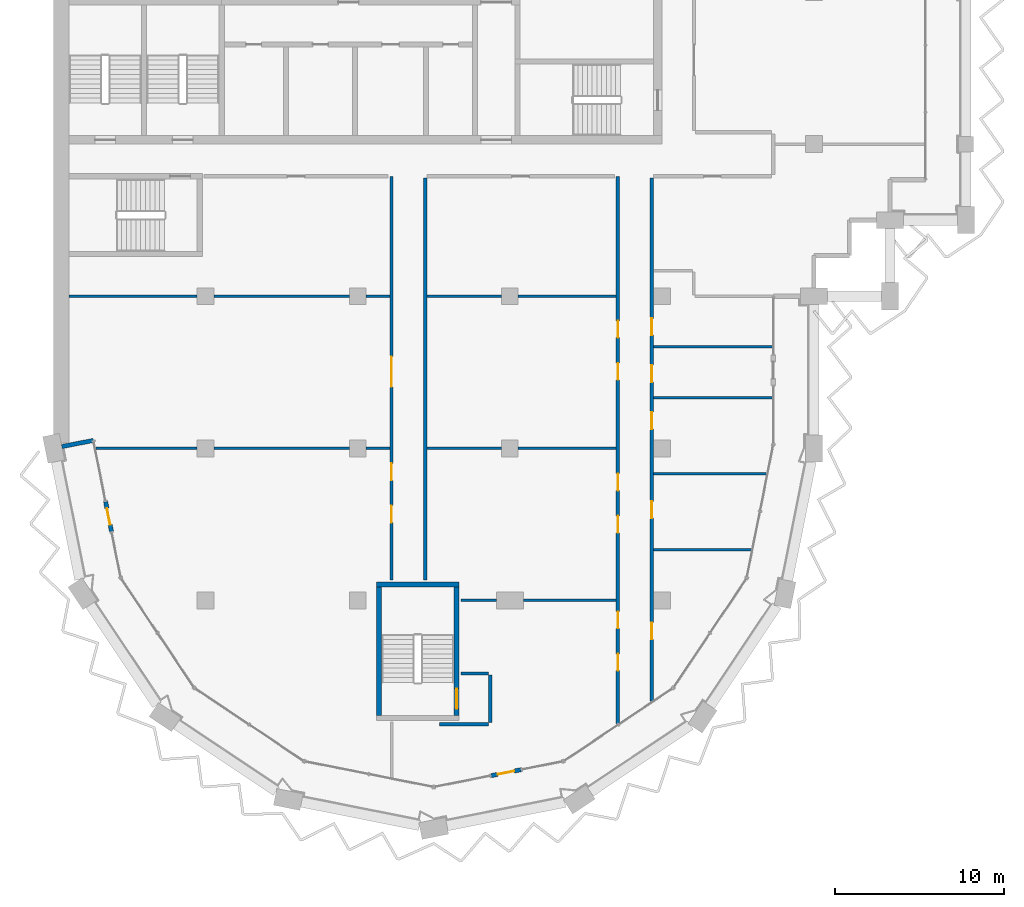
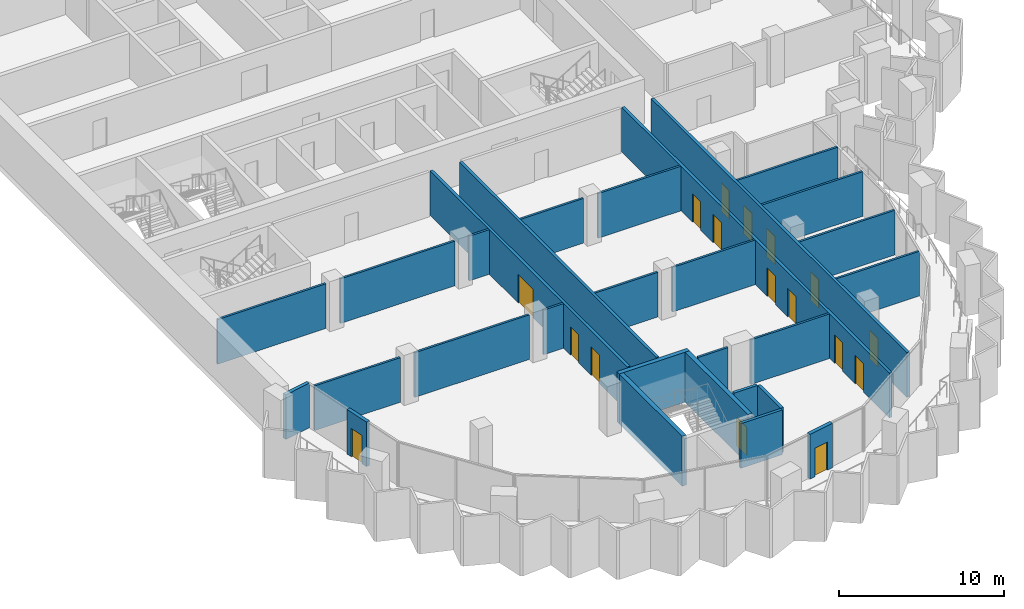
# One storey, part 7 of 16: 29 walls, 17 doors, 17 openings.
"""IFC4 building model written with IfcOpenShell, lengths in metres."""

from ifc_helpers import new_model, si_unit, direction, frame, frame_2d, origin, place, context, subcontext, project, spatial, rectangle, extrude, material, layer, layer_set, type_object, element, fill, save


model = new_model("IFC4")

# Units and contexts
model_context = context("Model", 3, precision=1e-05, world=origin(), true_north=direction((0.0, 1.0)))
body_context = subcontext(model_context, "Body", "Model", "MODEL_VIEW")
ifc_project = project(units=[si_unit("LENGTHUNIT", "METRE"), si_unit("AREAUNIT", "SQUARE_METRE"), si_unit("VOLUMEUNIT", "CUBIC_METRE"), si_unit("PLANEANGLEUNIT", "RADIAN"), si_unit("MASSUNIT", "GRAM", prefix="KILO")], contexts=[model_context])

# Site, building, storey
site_placement = place(None, origin())
site = spatial("IfcSite", under=ifc_project, at=site_placement, CompositionType="ELEMENT")
building_placement = place(site_placement, origin())
building = spatial("IfcBuilding", under=site, at=building_placement, Name="Hunhe Ridgeline Campus", CompositionType="ELEMENT")
storey_placement = place(building_placement, frame((0.0, 0.0, 257.699951171875)))
storey = spatial("IfcBuildingStorey", under=building, at=storey_placement, Name="L66", CompositionType="ELEMENT", Elevation=257.699951171875)

# Walls
ifc_material_1 = material(Name="Concrete C30", Category="concrete")
ifc_layer_1 = layer(ifc_material_1, 0.25)
ifc_layer_set_1 = layer_set([ifc_layer_1], Name="Corner return wall 250 Concrete C30")
wall_type_1 = type_object("IfcWallType", Name="Corner return wall 250 Concrete C30", PredefinedType="SOLIDWALL", material=ifc_layer_set_1)
wall_1_placement = place(storey_placement, frame((0.490234375, 45.098388671875, 0.0), z_axis=(0.0, 0.0, 1.0), x_axis=(0.980836699013, 0.194831644939, 0.0)))
element("IfcWall", 1, at=wall_1_placement, inside=storey, type_object=wall_type_1, Name="Corner return wall 1", PredefinedType="SOLIDWALL", context=body_context, shape_type="SweptSolid", body=[
    extrude(rectangle(XDim=1.90087890625, YDim=0.25, at=frame_2d((0.950439453125, 0.0))), origin(), (0.0, 0.0, 1.0), 3.300048828125),
])
ifc_material_2 = material(Name="Gypsum board partition")
ifc_layer_2 = layer(ifc_material_2, 0.199951171875)
ifc_layer_set_2 = layer_set([ifc_layer_2], Name="Corridor partition 200 gypsum board on steel studs")
wall_type_2 = type_object("IfcWallType", Name="Corridor partition 200 gypsum board on steel studs", PredefinedType="PARTITIONING", material=ifc_layer_set_2)
wall_2_placement = place(storey_placement, frame((25.75, 28.675048828125, 0.0), z_axis=(0.0, 0.0, 1.0), x_axis=(-1.0, 0.0, 0.0)))
element("IfcWall", 2, at=wall_2_placement, inside=storey, type_object=wall_type_2, Name="F-L66-wall-001", PredefinedType="PARTITIONING", context=body_context, shape_type="SweptSolid", body=[
    extrude(rectangle(XDim=2.89990234375, YDim=0.199951171875, at=frame_2d((1.449951171875, 0.0))), origin(), (0.0, 0.0, 1.0), 3.300048828125),
])
wall_3_placement = place(storey_placement, frame((24.10400390625, 31.675048828125, 0.0), z_axis=(0.0, 0.0, 1.0), x_axis=(1.0, 0.0, 0.0)))
element("IfcWall", 3, at=wall_3_placement, inside=storey, type_object=wall_type_2, Name="F-L66-wall-002", PredefinedType="PARTITIONING", context=body_context, shape_type="SweptSolid", body=[
    extrude(rectangle(XDim=1.64599609375, YDim=0.199951171875, at=frame_2d((0.822998046875, 0.0))), origin(), (0.0, 0.0, 1.0), 3.300048828125),
])

# Wall, openings, doors
wall_4_placement = place(storey_placement, frame((20.0, 37.2041015625, 0.0), z_axis=(0.0, 0.0, 1.0), x_axis=(0.0, 1.0, 0.0)))
wall_4 = element("IfcWall", 4, at=wall_4_placement, inside=storey, type_object=wall_type_2, Name="F-L66-wall-033", PredefinedType="PARTITIONING", context=body_context, shape_type="SweptSolid", body=[
    extrude(rectangle(XDim=23.89599609375, YDim=0.199951171875, at=frame_2d((11.947998046875, 0.0))), origin(), (0.0, 0.0, 1.0), 3.300048828125),
])
opening_1_placement = place(wall_4_placement, frame((3.398681640625, 0.0, 0.0)))
opening_1 = element("IfcOpeningElement", 5, at=opening_1_placement, cuts=wall_4, Name="Opening RD1-005", PredefinedType="OPENING", context=body_context, shape_type="SweptSolid", body=[
    extrude(rectangle(XDim=1.0, YDim=2.10009765625, at=frame_2d((0.5, 1.050048828125))), frame((0.0, 0.10009765625, 0.0), z_axis=(0.0, -1.0, 0.0), x_axis=(1.0, 0.0, 0.0)), (0.0, 0.0, 1.0), 0.199951171875),
])
opening_2_placement = place(wall_4_placement, frame((5.898681640625, 0.0, 0.0)))
opening_2 = element("IfcOpeningElement", 6, at=opening_2_placement, cuts=wall_4, Name="Opening RD1-008", PredefinedType="OPENING", context=body_context, shape_type="SweptSolid", body=[
    extrude(rectangle(XDim=1.0, YDim=2.10009765625, at=frame_2d((0.5, 1.050048828125))), frame((0.0, 0.10009765625, 0.0), z_axis=(0.0, -1.0, 0.0), x_axis=(1.0, 0.0, 0.0)), (0.0, 0.0, 1.0), 0.199951171875),
])
opening_3_placement = place(wall_4_placement, frame((11.42529296875, 0.0, 0.0)))
opening_3 = element("IfcOpeningElement", 7, at=opening_3_placement, cuts=wall_4, Name="Opening RD2-011", PredefinedType="OPENING", context=body_context, shape_type="SweptSolid", body=[
    extrude(rectangle(XDim=1.800048828125, YDim=2.10009765625, at=frame_2d((0.89990234375, 1.050048828125))), frame((0.0, 0.10009765625, 0.0), z_axis=(0.0, -1.0, 0.0), x_axis=(1.0, 0.0, 0.0)), (0.0, 0.0, 1.0), 0.199951171875),
])
ifc_material_3 = material(Name="Timber door leaf", Category="wood")
door_type_1 = type_object("IfcDoorType", Name="Double fire door 1800x2100 timber FD60", OperationType="DOUBLE_DOOR_SINGLE_SWING", PredefinedType="DOOR", material=ifc_material_3)
door_1_placement = place(opening_3_placement, origin())
door_1 = element("IfcDoor", 8, at=door_1_placement, inside=storey, type_object=door_type_1, Name="F-L66-door-011", OperationType="DOUBLE_DOOR_SINGLE_SWING", OverallHeight=2.10009765625, OverallWidth=1.800048828125, PredefinedType="DOOR", context=body_context, shape_type="SweptSolid", body=[
    extrude(rectangle(XDim=1.800048828125, YDim=2.10009765625, at=frame_2d((0.89990234375, 1.050048828125))), frame((0.0, 0.02490234375, 0.0), z_axis=(0.0, -1.0, 0.0), x_axis=(1.0, 0.0, 0.0)), (0.0, 0.0, 1.0), 0.050048828125),
])
fill(opening_3, door_1)
door_type_2 = type_object("IfcDoorType", Name="Single fire door 1000x2100 timber FD60", OperationType="NOTDEFINED", PredefinedType="DOOR", material=ifc_material_3)
door_2_placement = place(opening_1_placement, frame((1.0, 0.0, 0.0), z_axis=(0.0, 0.0, 1.0), x_axis=(-1.0, 0.0, 0.0)))
door_2 = element("IfcDoor", 9, at=door_2_placement, inside=storey, type_object=door_type_2, Name="F-L66-door-005", OperationType="SINGLE_SWING_LEFT", OverallHeight=2.10009765625, OverallWidth=1.0, PredefinedType="DOOR", context=body_context, shape_type="SweptSolid", body=[
    extrude(rectangle(XDim=1.0, YDim=2.10009765625, at=frame_2d((0.5, 1.050048828125))), frame((0.0, 0.02490234375, 0.0), z_axis=(0.0, -1.0, 0.0), x_axis=(1.0, 0.0, 0.0)), (0.0, 0.0, 1.0), 0.050048828125),
])
fill(opening_1, door_2)
door_3_placement = place(opening_2_placement, frame((1.0, 0.0, 0.0), z_axis=(0.0, 0.0, 1.0), x_axis=(-1.0, 0.0, 0.0)))
door_3 = element("IfcDoor", 10, at=door_3_placement, inside=storey, type_object=door_type_2, Name="F-L66-door-008", OperationType="SINGLE_SWING_LEFT", OverallHeight=2.10009765625, OverallWidth=1.0, PredefinedType="DOOR", context=body_context, shape_type="SweptSolid", body=[
    extrude(rectangle(XDim=1.0, YDim=2.10009765625, at=frame_2d((0.5, 1.050048828125))), frame((0.0, 0.02490234375, 0.0), z_axis=(0.0, -1.0, 0.0), x_axis=(1.0, 0.0, 0.0)), (0.0, 0.0, 1.0), 0.050048828125),
])
fill(opening_2, door_3)

# Walls
wall_5_placement = place(storey_placement, frame((22.0, 61.0, 0.0), z_axis=(0.0, 0.0, 1.0), x_axis=(0.0, -1.0, 0.0)))
element("IfcWall", 11, at=wall_5_placement, inside=storey, type_object=wall_type_2, Name="F-L66-wall-034", PredefinedType="PARTITIONING", context=body_context, shape_type="SweptSolid", body=[
    extrude(rectangle(XDim=23.7958984375, YDim=0.199951171875, at=frame_2d((11.89794921875, 0.0))), origin(), (0.0, 0.0, 1.0), 3.300048828125),
])
wall_6_placement = place(storey_placement, frame((25.85009765625, 31.574951171875, 0.0), z_axis=(0.0, 0.0, 1.0), x_axis=(0.0, -1.0, 0.0)))
element("IfcWall", 12, at=wall_6_placement, inside=storey, type_object=wall_type_2, Name="F-L66-wall-035", PredefinedType="PARTITIONING", context=body_context, shape_type="SweptSolid", body=[
    extrude(rectangle(XDim=2.800048828125, YDim=0.199951171875, at=frame_2d((1.39990234375, 0.0))), origin(), (0.0, 0.0, 1.0), 3.300048828125),
])

# Wall, openings, doors
wall_7_placement = place(storey_placement, frame((33.39990234375, 28.6953125, 0.0), z_axis=(0.0, 0.0, 1.0), x_axis=(0.0, 1.0, 0.0)))
wall_7 = element("IfcWall", 13, at=wall_7_placement, inside=storey, type_object=wall_type_2, Name="F-L66-wall-036", PredefinedType="PARTITIONING", context=body_context, shape_type="SweptSolid", body=[
    extrude(rectangle(XDim=32.40478515625, YDim=0.199951171875, at=frame_2d((16.202392578125, 0.0))), origin(), (0.0, 0.0, 1.0), 3.300048828125),
])
opening_4_placement = place(wall_7_placement, frame((3.142333984375, 0.0, 0.0)))
opening_4 = element("IfcOpeningElement", 14, at=opening_4_placement, cuts=wall_7, Name="Opening RD1-001", PredefinedType="OPENING", context=body_context, shape_type="SweptSolid", body=[
    extrude(rectangle(XDim=1.0, YDim=2.10009765625, at=frame_2d((0.5, 1.050048828125))), frame((0.0, 0.10009765625, 0.0), z_axis=(0.0, -1.0, 0.0), x_axis=(1.0, 0.0, 0.0)), (0.0, 0.0, 1.0), 0.199951171875),
])
opening_5_placement = place(wall_7_placement, frame((5.642333984375, 0.0, 0.0)))
opening_5 = element("IfcOpeningElement", 15, at=opening_5_placement, cuts=wall_7, Name="Opening RD1-003", PredefinedType="OPENING", context=body_context, shape_type="SweptSolid", body=[
    extrude(rectangle(XDim=1.0, YDim=2.10009765625, at=frame_2d((0.5, 1.050048828125))), frame((0.0, 0.10009765625, 0.0), z_axis=(0.0, -1.0, 0.0), x_axis=(1.0, 0.0, 0.0)), (0.0, 0.0, 1.0), 0.199951171875),
])
opening_6_placement = place(wall_7_placement, frame((11.306396484375, 0.0, 0.0)))
opening_6 = element("IfcOpeningElement", 16, at=opening_6_placement, cuts=wall_7, Name="Opening RD1-004", PredefinedType="OPENING", context=body_context, shape_type="SweptSolid", body=[
    extrude(rectangle(XDim=1.0, YDim=2.10009765625, at=frame_2d((0.5, 1.050048828125))), frame((0.0, 0.10009765625, 0.0), z_axis=(0.0, -1.0, 0.0), x_axis=(1.0, 0.0, 0.0)), (0.0, 0.0, 1.0), 0.199951171875),
])
opening_7_placement = place(wall_7_placement, frame((13.806396484375, 0.0, 0.0)))
opening_7 = element("IfcOpeningElement", 17, at=opening_7_placement, cuts=wall_7, Name="Opening RD1-007", PredefinedType="OPENING", context=body_context, shape_type="SweptSolid", body=[
    extrude(rectangle(XDim=1.0, YDim=2.10009765625, at=frame_2d((0.5, 1.050048828125))), frame((0.0, 0.10009765625, 0.0), z_axis=(0.0, -1.0, 0.0), x_axis=(1.0, 0.0, 0.0)), (0.0, 0.0, 1.0), 0.199951171875),
])
opening_8_placement = place(wall_7_placement, frame((20.349609375, 0.0, 0.0)))
opening_8 = element("IfcOpeningElement", 18, at=opening_8_placement, cuts=wall_7, Name="Opening RD1-012", PredefinedType="OPENING", context=body_context, shape_type="SweptSolid", body=[
    extrude(rectangle(XDim=1.0, YDim=2.10009765625, at=frame_2d((0.5, 1.050048828125))), frame((0.0, 0.10009765625, 0.0), z_axis=(0.0, -1.0, 0.0), x_axis=(1.0, 0.0, 0.0)), (0.0, 0.0, 1.0), 0.199951171875),
])
opening_9_placement = place(wall_7_placement, frame((22.849609375, 0.0, 0.0)))
opening_9 = element("IfcOpeningElement", 19, at=opening_9_placement, cuts=wall_7, Name="Opening RD1-013", PredefinedType="OPENING", context=body_context, shape_type="SweptSolid", body=[
    extrude(rectangle(XDim=1.0, YDim=2.10009765625, at=frame_2d((0.5, 1.050048828125))), frame((0.0, 0.10009765625, 0.0), z_axis=(0.0, -1.0, 0.0), x_axis=(1.0, 0.0, 0.0)), (0.0, 0.0, 1.0), 0.199951171875),
])
door_4_placement = place(opening_4_placement, frame((1.0, 0.0, 0.0), z_axis=(0.0, 0.0, 1.0), x_axis=(-1.0, 0.0, 0.0)))
door_4 = element("IfcDoor", 20, at=door_4_placement, inside=storey, type_object=door_type_2, Name="F-L66-door-001", OperationType="SINGLE_SWING_LEFT", OverallHeight=2.10009765625, OverallWidth=1.0, PredefinedType="DOOR", context=body_context, shape_type="SweptSolid", body=[
    extrude(rectangle(XDim=1.0, YDim=2.10009765625, at=frame_2d((0.5, 1.050048828125))), frame((0.0, 0.02490234375, 0.0), z_axis=(0.0, -1.0, 0.0), x_axis=(1.0, 0.0, 0.0)), (0.0, 0.0, 1.0), 0.050048828125),
])
fill(opening_4, door_4)
door_5_placement = place(opening_5_placement, frame((1.0, 0.0, 0.0), z_axis=(0.0, 0.0, 1.0), x_axis=(-1.0, 0.0, 0.0)))
door_5 = element("IfcDoor", 21, at=door_5_placement, inside=storey, type_object=door_type_2, Name="F-L66-door-003", OperationType="SINGLE_SWING_LEFT", OverallHeight=2.10009765625, OverallWidth=1.0, PredefinedType="DOOR", context=body_context, shape_type="SweptSolid", body=[
    extrude(rectangle(XDim=1.0, YDim=2.10009765625, at=frame_2d((0.5, 1.050048828125))), frame((0.0, 0.02490234375, 0.0), z_axis=(0.0, -1.0, 0.0), x_axis=(1.0, 0.0, 0.0)), (0.0, 0.0, 1.0), 0.050048828125),
])
fill(opening_5, door_5)
door_6_placement = place(opening_6_placement, frame((1.0, 0.0, 0.0), z_axis=(0.0, 0.0, 1.0), x_axis=(-1.0, 0.0, 0.0)))
door_6 = element("IfcDoor", 22, at=door_6_placement, inside=storey, type_object=door_type_2, Name="F-L66-door-004", OperationType="SINGLE_SWING_RIGHT", OverallHeight=2.10009765625, OverallWidth=1.0, PredefinedType="DOOR", context=body_context, shape_type="SweptSolid", body=[
    extrude(rectangle(XDim=1.0, YDim=2.10009765625, at=frame_2d((0.5, 1.050048828125))), frame((0.0, 0.02490234375, 0.0), z_axis=(0.0, -1.0, 0.0), x_axis=(1.0, 0.0, 0.0)), (0.0, 0.0, 1.0), 0.050048828125),
])
fill(opening_6, door_6)
door_7_placement = place(opening_7_placement, frame((1.0, 0.0, 0.0), z_axis=(0.0, 0.0, 1.0), x_axis=(-1.0, 0.0, 0.0)))
door_7 = element("IfcDoor", 23, at=door_7_placement, inside=storey, type_object=door_type_2, Name="F-L66-door-007", OperationType="SINGLE_SWING_LEFT", OverallHeight=2.10009765625, OverallWidth=1.0, PredefinedType="DOOR", context=body_context, shape_type="SweptSolid", body=[
    extrude(rectangle(XDim=1.0, YDim=2.10009765625, at=frame_2d((0.5, 1.050048828125))), frame((0.0, 0.02490234375, 0.0), z_axis=(0.0, -1.0, 0.0), x_axis=(1.0, 0.0, 0.0)), (0.0, 0.0, 1.0), 0.050048828125),
])
fill(opening_7, door_7)
door_8_placement = place(opening_8_placement, frame((1.0, 0.0, 0.0), z_axis=(0.0, 0.0, 1.0), x_axis=(-1.0, 0.0, 0.0)))
door_8 = element("IfcDoor", 24, at=door_8_placement, inside=storey, type_object=door_type_2, Name="F-L66-door-012", OperationType="SINGLE_SWING_LEFT", OverallHeight=2.10009765625, OverallWidth=1.0, PredefinedType="DOOR", context=body_context, shape_type="SweptSolid", body=[
    extrude(rectangle(XDim=1.0, YDim=2.10009765625, at=frame_2d((0.5, 1.050048828125))), frame((0.0, 0.02490234375, 0.0), z_axis=(0.0, -1.0, 0.0), x_axis=(1.0, 0.0, 0.0)), (0.0, 0.0, 1.0), 0.050048828125),
])
fill(opening_8, door_8)
door_9_placement = place(opening_9_placement, frame((1.0, 0.0, 0.0), z_axis=(0.0, 0.0, 1.0), x_axis=(-1.0, 0.0, 0.0)))
door_9 = element("IfcDoor", 25, at=door_9_placement, inside=storey, type_object=door_type_2, Name="F-L66-door-013", OperationType="SINGLE_SWING_LEFT", OverallHeight=2.10009765625, OverallWidth=1.0, PredefinedType="DOOR", context=body_context, shape_type="SweptSolid", body=[
    extrude(rectangle(XDim=1.0, YDim=2.10009765625, at=frame_2d((0.5, 1.050048828125))), frame((0.0, 0.02490234375, 0.0), z_axis=(0.0, -1.0, 0.0), x_axis=(1.0, 0.0, 0.0)), (0.0, 0.0, 1.0), 0.050048828125),
])
fill(opening_9, door_9)

wall_8_placement = place(storey_placement, frame((35.39990234375, 61.0, 0.0), z_axis=(0.0, 0.0, 1.0), x_axis=(0.0, -1.0, 0.0)))
wall_8 = element("IfcWall", 26, at=wall_8_placement, inside=storey, type_object=wall_type_2, Name="F-L66-wall-037", PredefinedType="PARTITIONING", context=body_context, shape_type="SweptSolid", body=[
    extrude(rectangle(XDim=30.968505859375, YDim=0.199951171875, at=frame_2d((15.484375, 0.0))), origin(), (0.0, 0.0, 1.0), 3.300048828125),
])
opening_10_placement = place(wall_8_placement, frame((26.310546875, 0.0, 0.0)))
opening_10 = element("IfcOpeningElement", 27, at=opening_10_placement, cuts=wall_8, Name="Opening RD1-002", PredefinedType="OPENING", context=body_context, shape_type="SweptSolid", body=[
    extrude(rectangle(XDim=1.0, YDim=2.10009765625, at=frame_2d((0.5, 1.050048828125))), frame((0.0, 0.10009765625, 0.0), z_axis=(0.0, -1.0, 0.0), x_axis=(1.0, 0.0, 0.0)), (0.0, 0.0, 1.0), 0.199951171875),
])
opening_11_placement = place(wall_8_placement, frame((19.138427734375, 0.0, 0.0)))
opening_11 = element("IfcOpeningElement", 28, at=opening_11_placement, cuts=wall_8, Name="Opening RD1-006", PredefinedType="OPENING", context=body_context, shape_type="SweptSolid", body=[
    extrude(rectangle(XDim=1.0, YDim=2.10009765625, at=frame_2d((0.5, 1.050048828125))), frame((0.0, 0.10009765625, 0.0), z_axis=(0.0, -1.0, 0.0), x_axis=(1.0, 0.0, 0.0)), (0.0, 0.0, 1.0), 0.199951171875),
])
opening_12_placement = place(wall_8_placement, frame((13.8583984375, 0.0, 0.0)))
opening_12 = element("IfcOpeningElement", 29, at=opening_12_placement, cuts=wall_8, Name="Opening RD1-009", PredefinedType="OPENING", context=body_context, shape_type="SweptSolid", body=[
    extrude(rectangle(XDim=1.0, YDim=2.10009765625, at=frame_2d((0.5, 1.050048828125))), frame((0.0, 0.10009765625, 0.0), z_axis=(0.0, -1.0, 0.0), x_axis=(1.0, 0.0, 0.0)), (0.0, 0.0, 1.0), 0.199951171875),
])
opening_13_placement = place(wall_8_placement, frame((11.081787109375, 0.0, 0.0)))
opening_13 = element("IfcOpeningElement", 30, at=opening_13_placement, cuts=wall_8, Name="Opening RD1-010", PredefinedType="OPENING", context=body_context, shape_type="SweptSolid", body=[
    extrude(rectangle(XDim=1.0, YDim=2.10009765625, at=frame_2d((0.5, 1.050048828125))), frame((0.0, 0.10009765625, 0.0), z_axis=(0.0, -1.0, 0.0), x_axis=(1.0, 0.0, 0.0)), (0.0, 0.0, 1.0), 0.199951171875),
])
opening_14_placement = place(wall_8_placement, frame((8.30517578125, 0.0, 0.0)))
opening_14 = element("IfcOpeningElement", 31, at=opening_14_placement, cuts=wall_8, Name="Opening RD1-014", PredefinedType="OPENING", context=body_context, shape_type="SweptSolid", body=[
    extrude(rectangle(XDim=1.0, YDim=2.10009765625, at=frame_2d((0.5, 1.050048828125))), frame((0.0, 0.10009765625, 0.0), z_axis=(0.0, -1.0, 0.0), x_axis=(1.0, 0.0, 0.0)), (0.0, 0.0, 1.0), 0.199951171875),
])
door_10_placement = place(opening_10_placement, origin())
door_10 = element("IfcDoor", 32, at=door_10_placement, inside=storey, type_object=door_type_2, Name="F-L66-door-002", OperationType="SINGLE_SWING_RIGHT", OverallHeight=2.10009765625, OverallWidth=1.0, PredefinedType="DOOR", context=body_context, shape_type="SweptSolid", body=[
    extrude(rectangle(XDim=1.0, YDim=2.10009765625, at=frame_2d((0.5, 1.050048828125))), frame((0.0, 0.02490234375, 0.0), z_axis=(0.0, -1.0, 0.0), x_axis=(1.0, 0.0, 0.0)), (0.0, 0.0, 1.0), 0.050048828125),
])
fill(opening_10, door_10)
door_11_placement = place(opening_11_placement, origin())
door_11 = element("IfcDoor", 33, at=door_11_placement, inside=storey, type_object=door_type_2, Name="F-L66-door-006", OperationType="SINGLE_SWING_LEFT", OverallHeight=2.10009765625, OverallWidth=1.0, PredefinedType="DOOR", context=body_context, shape_type="SweptSolid", body=[
    extrude(rectangle(XDim=1.0, YDim=2.10009765625, at=frame_2d((0.5, 1.050048828125))), frame((0.0, 0.02490234375, 0.0), z_axis=(0.0, -1.0, 0.0), x_axis=(1.0, 0.0, 0.0)), (0.0, 0.0, 1.0), 0.050048828125),
])
fill(opening_11, door_11)
door_12_placement = place(opening_12_placement, origin())
door_12 = element("IfcDoor", 34, at=door_12_placement, inside=storey, type_object=door_type_2, Name="F-L66-door-009", OperationType="SINGLE_SWING_LEFT", OverallHeight=2.10009765625, OverallWidth=1.0, PredefinedType="DOOR", context=body_context, shape_type="SweptSolid", body=[
    extrude(rectangle(XDim=1.0, YDim=2.10009765625, at=frame_2d((0.5, 1.050048828125))), frame((0.0, 0.02490234375, 0.0), z_axis=(0.0, -1.0, 0.0), x_axis=(1.0, 0.0, 0.0)), (0.0, 0.0, 1.0), 0.050048828125),
])
fill(opening_12, door_12)
door_13_placement = place(opening_13_placement, origin())
door_13 = element("IfcDoor", 35, at=door_13_placement, inside=storey, type_object=door_type_2, Name="F-L66-door-010", OperationType="SINGLE_SWING_LEFT", OverallHeight=2.10009765625, OverallWidth=1.0, PredefinedType="DOOR", context=body_context, shape_type="SweptSolid", body=[
    extrude(rectangle(XDim=1.0, YDim=2.10009765625, at=frame_2d((0.5, 1.050048828125))), frame((0.0, 0.02490234375, 0.0), z_axis=(0.0, -1.0, 0.0), x_axis=(1.0, 0.0, 0.0)), (0.0, 0.0, 1.0), 0.050048828125),
])
fill(opening_13, door_13)
door_14_placement = place(opening_14_placement, origin())
door_14 = element("IfcDoor", 36, at=door_14_placement, inside=storey, type_object=door_type_2, Name="F-L66-door-014", OperationType="SINGLE_SWING_RIGHT", OverallHeight=2.10009765625, OverallWidth=1.0, PredefinedType="DOOR", context=body_context, shape_type="SweptSolid", body=[
    extrude(rectangle(XDim=1.0, YDim=2.10009765625, at=frame_2d((0.5, 1.050048828125))), frame((0.0, 0.02490234375, 0.0), z_axis=(0.0, -1.0, 0.0), x_axis=(1.0, 0.0, 0.0)), (0.0, 0.0, 1.0), 0.050048828125),
])
fill(opening_14, door_14)

# Wall, opening, door
ifc_layer_3 = layer(ifc_material_1, 0.25)
ifc_layer_set_3 = layer_set([ifc_layer_3], Name="Loggia door pier wall 250 Concrete C30")
wall_type_3 = type_object("IfcWallType", Name="Loggia door pier wall 250 Concrete C30", PredefinedType="SOLIDWALL", material=ifc_layer_set_3)
wall_9_placement = place(storey_placement, frame((3.076904296875, 41.8388671875, 0.0), z_axis=(0.0, 0.0, 1.0), x_axis=(0.195046569833, -0.980793982239, 0.0)))
wall_9 = element("IfcWall", 37, at=wall_9_placement, inside=storey, type_object=wall_type_3, Name="Loggia door pier 1", PredefinedType="SOLIDWALL", context=body_context, shape_type="SweptSolid", body=[
    extrude(rectangle(XDim=1.800048828125, YDim=0.25, at=frame_2d((0.89990234375, 0.0))), origin(), (0.0, 0.0, 1.0), 3.300048828125),
])
opening_15_placement = place(wall_9_placement, frame((0.39990234375, 0.0, 0.0)))
opening_15 = element("IfcOpeningElement", 38, at=opening_15_placement, cuts=wall_9, Name="Opening BD501", PredefinedType="OPENING", context=body_context, shape_type="SweptSolid", body=[
    extrude(rectangle(XDim=1.0, YDim=2.10009765625, at=frame_2d((0.5, 1.050048828125))), frame((0.0, 0.125, 0.0), z_axis=(0.0, -1.0, 0.0), x_axis=(1.0, 0.0, 0.0)), (0.0, 0.0, 1.0), 0.25),
])
ifc_material_4 = material(Name="Aluminium 6063", Category="aluminium")
door_type_3 = type_object("IfcDoorType", Name="Loggia glazed door 1000x2100", OperationType="NOTDEFINED", PredefinedType="DOOR", material=ifc_material_4)
door_15_placement = place(opening_15_placement, frame((1.0, 0.0, 0.0), z_axis=(0.0, 0.0, 1.0), x_axis=(-1.0, 0.0, 0.0)))
door_15 = element("IfcDoor", 39, at=door_15_placement, inside=storey, type_object=door_type_3, Name="Loggia door BD501", OperationType="SINGLE_SWING_RIGHT", OverallHeight=2.10009765625, OverallWidth=1.0, PredefinedType="DOOR", context=body_context, shape_type="SweptSolid", body=[
    extrude(rectangle(XDim=1.0, YDim=2.10009765625, at=frame_2d((0.5, 1.050048828125))), frame((0.0, 0.02490234375, 0.0), z_axis=(0.0, -1.0, 0.0), x_axis=(1.0, 0.0, 0.0)), (0.0, 0.0, 1.0), 0.050048828125),
])
fill(opening_15, door_15)

wall_10_placement = place(storey_placement, frame((25.8955078125, 25.62353515625, 0.0), z_axis=(0.0, 0.0, 1.0), x_axis=(0.980793982239, 0.195046569833, 0.0)))
wall_10 = element("IfcWall", 40, at=wall_10_placement, inside=storey, type_object=wall_type_3, Name="Loggia door pier 2", PredefinedType="SOLIDWALL", context=body_context, shape_type="SweptSolid", body=[
    extrude(rectangle(XDim=1.800048828125, YDim=0.25, at=frame_2d((0.89990234375, 0.0))), origin(), (0.0, 0.0, 1.0), 3.300048828125),
])
opening_16_placement = place(wall_10_placement, frame((0.39990234375, 0.0, 0.0)))
opening_16 = element("IfcOpeningElement", 41, at=opening_16_placement, cuts=wall_10, Name="Opening BD503", PredefinedType="OPENING", context=body_context, shape_type="SweptSolid", body=[
    extrude(rectangle(XDim=1.0, YDim=2.10009765625, at=frame_2d((0.5, 1.050048828125))), frame((0.0, 0.125, 0.0), z_axis=(0.0, -1.0, 0.0), x_axis=(1.0, 0.0, 0.0)), (0.0, 0.0, 1.0), 0.25),
])
door_16_placement = place(opening_16_placement, frame((1.0, 0.0, 0.0), z_axis=(0.0, 0.0, 1.0), x_axis=(-1.0, 0.0, 0.0)))
door_16 = element("IfcDoor", 42, at=door_16_placement, inside=storey, type_object=door_type_3, Name="Loggia door BD503", OperationType="SINGLE_SWING_RIGHT", OverallHeight=2.10009765625, OverallWidth=1.0, PredefinedType="DOOR", context=body_context, shape_type="SweptSolid", body=[
    extrude(rectangle(XDim=1.0, YDim=2.10009765625, at=frame_2d((0.5, 1.050048828125))), frame((0.0, 0.02490234375, 0.0), z_axis=(0.0, -1.0, 0.0), x_axis=(1.0, 0.0, 0.0)), (0.0, 0.0, 1.0), 0.050048828125),
])
fill(opening_16, door_16)

# Walls
ifc_layer_4 = layer(ifc_material_2, 0.14990234375)
ifc_layer_set_4 = layer_set([ifc_layer_4], Name="Room partition 150 gypsum board on steel studs")
wall_type_4 = type_object("IfcWallType", Name="Room partition 150 gypsum board on steel studs", PredefinedType="PARTITIONING", material=ifc_layer_set_4)
wall_11_placement = place(storey_placement, frame((24.10400390625, 36.0, 0.0), z_axis=(0.0, 0.0, 1.0), x_axis=(1.0, 0.0, 0.0)))
element("IfcWall", 43, at=wall_11_placement, inside=storey, type_object=wall_type_4, Name="F-L66-wall-003", PredefinedType="PARTITIONING", context=body_context, shape_type="SweptSolid", body=[
    extrude(rectangle(XDim=2.095947265625, YDim=0.14990234375, at=frame_2d((1.0478515625, 0.0))), origin(), (0.0, 0.0, 1.0), 3.300048828125),
])
wall_12_placement = place(storey_placement, frame((27.800048828125, 36.0, 0.0), z_axis=(0.0, 0.0, 1.0), x_axis=(1.0, 0.0, 0.0)))
element("IfcWall", 44, at=wall_12_placement, inside=storey, type_object=wall_type_4, Name="F-L66-wall-004", PredefinedType="PARTITIONING", context=body_context, shape_type="SweptSolid", body=[
    extrude(rectangle(XDim=5.5, YDim=0.14990234375, at=frame_2d((2.75, 0.0))), origin(), (0.0, 0.0, 1.0), 3.300048828125),
])
wall_13_placement = place(storey_placement, frame((35.5, 39.0, 0.0), z_axis=(0.0, 0.0, 1.0), x_axis=(1.0, 0.0, 0.0)))
element("IfcWall", 45, at=wall_13_placement, inside=storey, type_object=wall_type_4, Name="F-L66-wall-005", PredefinedType="PARTITIONING", context=body_context, shape_type="SweptSolid", body=[
    extrude(rectangle(XDim=5.803466796875, YDim=0.14990234375, at=frame_2d((2.90185546875, 0.0))), origin(), (0.0, 0.0, 1.0), 3.300048828125),
])
wall_14_placement = place(storey_placement, frame((35.5, 43.5, 0.0), z_axis=(0.0, 0.0, 1.0), x_axis=(1.0, 0.0, 0.0)))
element("IfcWall", 46, at=wall_14_placement, inside=storey, type_object=wall_type_4, Name="F-L66-wall-006", PredefinedType="PARTITIONING", context=body_context, shape_type="SweptSolid", body=[
    extrude(rectangle(XDim=6.698486328125, YDim=0.14990234375, at=frame_2d((3.34912109375, 0.0))), origin(), (0.0, 0.0, 1.0), 3.300048828125),
])
wall_15_placement = place(storey_placement, frame((2.503173828125, 45.0, 0.0), z_axis=(0.0, 0.0, 1.0), x_axis=(1.0, 0.0, 0.0)))
element("IfcWall", 47, at=wall_15_placement, inside=storey, type_object=wall_type_4, Name="F-L66-wall-007", PredefinedType="PARTITIONING", context=body_context, shape_type="SweptSolid", body=[
    extrude(rectangle(XDim=5.996826171875, YDim=0.14990234375, at=frame_2d((2.99853515625, 0.0))), origin(), (0.0, 0.0, 1.0), 3.300048828125),
])
wall_16_placement = place(storey_placement, frame((9.5, 45.0, 0.0), z_axis=(0.0, 0.0, 1.0), x_axis=(1.0, 0.0, 0.0)))
element("IfcWall", 48, at=wall_16_placement, inside=storey, type_object=wall_type_4, Name="F-L66-wall-008", PredefinedType="PARTITIONING", context=body_context, shape_type="SweptSolid", body=[
    extrude(rectangle(XDim=8.0, YDim=0.14990234375, at=frame_2d((4.0, 0.0))), origin(), (0.0, 0.0, 1.0), 3.300048828125),
])
wall_17_placement = place(storey_placement, frame((18.5, 45.0, 0.0), z_axis=(0.0, 0.0, 1.0), x_axis=(1.0, 0.0, 0.0)))
element("IfcWall", 49, at=wall_17_placement, inside=storey, type_object=wall_type_4, Name="F-L66-wall-009", PredefinedType="PARTITIONING", context=body_context, shape_type="SweptSolid", body=[
    extrude(rectangle(XDim=1.39990234375, YDim=0.14990234375, at=frame_2d((0.699951171875, 0.0))), origin(), (0.0, 0.0, 1.0), 3.300048828125),
])
wall_18_placement = place(storey_placement, frame((22.10009765625, 45.0, 0.0), z_axis=(0.0, 0.0, 1.0), x_axis=(1.0, 0.0, 0.0)))
element("IfcWall", 50, at=wall_18_placement, inside=storey, type_object=wall_type_4, Name="F-L66-wall-010", PredefinedType="PARTITIONING", context=body_context, shape_type="SweptSolid", body=[
    extrude(rectangle(XDim=4.39990234375, YDim=0.14990234375, at=frame_2d((2.199951171875, 0.0))), origin(), (0.0, 0.0, 1.0), 3.300048828125),
])
wall_19_placement = place(storey_placement, frame((27.5, 45.0, 0.0), z_axis=(0.0, 0.0, 1.0), x_axis=(1.0, 0.0, 0.0)))
element("IfcWall", 51, at=wall_19_placement, inside=storey, type_object=wall_type_4, Name="F-L66-wall-011", PredefinedType="PARTITIONING", context=body_context, shape_type="SweptSolid", body=[
    extrude(rectangle(XDim=5.800048828125, YDim=0.14990234375, at=frame_2d((2.89990234375, 0.0))), origin(), (0.0, 0.0, 1.0), 3.300048828125),
])
for number, where, z_axis, x_axis, name in (
    (52, (35.5, 48.0, 0.0), (0.0, 0.0, 1.0), (1.0, 0.0, 0.0), "F-L66-wall-012"),
    (53, (35.5, 51.0, 0.0), (0.0, 0.0, 1.0), (1.0, 0.0, 0.0), "F-L66-wall-013"),
):
    element("IfcWall", number, at=place(storey_placement, frame(where, z_axis=z_axis, x_axis=x_axis)), inside=storey, type_object=wall_type_4, Name=name, PredefinedType="PARTITIONING", context=body_context, shape_type="SweptSolid", body=[
        extrude(rectangle(XDim=7.045166015625, YDim=0.14990234375, at=frame_2d((3.5224609375, 0.0))), origin(), (0.0, 0.0, 1.0), 3.300048828125),
    ])
wall_20_placement = place(storey_placement, frame((0.919921875, 54.0, 0.0), z_axis=(0.0, 0.0, 1.0), x_axis=(1.0, 0.0, 0.0)))
element("IfcWall", 54, at=wall_20_placement, inside=storey, type_object=wall_type_4, Name="F-L66-wall-014", PredefinedType="PARTITIONING", context=body_context, shape_type="SweptSolid", body=[
    extrude(rectangle(XDim=7.580078125, YDim=0.14990234375, at=frame_2d((3.7900390625, 0.0))), origin(), (0.0, 0.0, 1.0), 3.300048828125),
])
wall_21_placement = place(storey_placement, frame((9.5, 54.0, 0.0), z_axis=(0.0, 0.0, 1.0), x_axis=(1.0, 0.0, 0.0)))
element("IfcWall", 55, at=wall_21_placement, inside=storey, type_object=wall_type_4, Name="F-L66-wall-015", PredefinedType="PARTITIONING", context=body_context, shape_type="SweptSolid", body=[
    extrude(rectangle(XDim=8.0, YDim=0.14990234375, at=frame_2d((4.0, 0.0))), origin(), (0.0, 0.0, 1.0), 3.300048828125),
])
wall_22_placement = place(storey_placement, frame((18.5, 54.0, 0.0), z_axis=(0.0, 0.0, 1.0), x_axis=(1.0, 0.0, 0.0)))
element("IfcWall", 56, at=wall_22_placement, inside=storey, type_object=wall_type_4, Name="F-L66-wall-016", PredefinedType="PARTITIONING", context=body_context, shape_type="SweptSolid", body=[
    extrude(rectangle(XDim=1.39990234375, YDim=0.14990234375, at=frame_2d((0.699951171875, 0.0))), origin(), (0.0, 0.0, 1.0), 3.300048828125),
])
wall_23_placement = place(storey_placement, frame((22.10009765625, 54.0, 0.0), z_axis=(0.0, 0.0, 1.0), x_axis=(1.0, 0.0, 0.0)))
element("IfcWall", 57, at=wall_23_placement, inside=storey, type_object=wall_type_4, Name="F-L66-wall-017", PredefinedType="PARTITIONING", context=body_context, shape_type="SweptSolid", body=[
    extrude(rectangle(XDim=4.39990234375, YDim=0.14990234375, at=frame_2d((2.199951171875, 0.0))), origin(), (0.0, 0.0, 1.0), 3.300048828125),
])
wall_24_placement = place(storey_placement, frame((27.5, 54.0, 0.0), z_axis=(0.0, 0.0, 1.0), x_axis=(1.0, 0.0, 0.0)))
element("IfcWall", 58, at=wall_24_placement, inside=storey, type_object=wall_type_4, Name="F-L66-wall-018", PredefinedType="PARTITIONING", context=body_context, shape_type="SweptSolid", body=[
    extrude(rectangle(XDim=5.800048828125, YDim=0.14990234375, at=frame_2d((2.89990234375, 0.0))), origin(), (0.0, 0.0, 1.0), 3.300048828125),
])
ifc_material_5 = material(Name="Concrete C50", Category="concrete")
ifc_layer_5 = layer(ifc_material_5, 0.300048828125)
ifc_layer_set_5 = layer_set([ifc_layer_5], Name="Stair wall 300 reinforced concrete C50")
wall_type_5 = type_object("IfcWallType", Name="Stair wall 300 reinforced concrete C50", PredefinedType="SOLIDWALL", material=ifc_layer_set_5)
wall_25_placement = place(storey_placement, frame((19.10009765625, 36.949951171875, -0.39990234375), z_axis=(0.0, 0.0, 1.0), x_axis=(1.0, 0.0, 0.0)))
element("IfcWall", 59, at=wall_25_placement, inside=storey, type_object=wall_type_5, Name="L66 core wall 2", PredefinedType="SOLIDWALL", context=body_context, shape_type="SweptSolid", body=[
    extrude(rectangle(XDim=4.89990234375, YDim=0.300048828125, at=frame_2d((2.449951171875, 0.0))), origin(), (0.0, 0.0, 1.0), 3.699951171875),
])
wall_26_placement = place(storey_placement, frame((19.25, 29.199951171875, -0.39990234375), z_axis=(0.0, 0.0, 1.0), x_axis=(0.0, 1.0, 0.0)))
element("IfcWall", 60, at=wall_26_placement, inside=storey, type_object=wall_type_5, Name="L66 core wall 37", PredefinedType="SOLIDWALL", context=body_context, shape_type="SweptSolid", body=[
    extrude(rectangle(XDim=7.60009765625, YDim=0.300048828125, at=frame_2d((3.800048828125, 0.0))), origin(), (0.0, 0.0, 1.0), 3.699951171875),
])

# Wall, opening, door
wall_27_placement = place(storey_placement, frame((23.85009765625, 29.199951171875, -0.39990234375), z_axis=(0.0, 0.0, 1.0), x_axis=(0.0, 1.0, 0.0)))
wall_27 = element("IfcWall", 61, at=wall_27_placement, inside=storey, type_object=wall_type_5, Name="L66 core wall 42", PredefinedType="SOLIDWALL", context=body_context, shape_type="SweptSolid", body=[
    extrude(rectangle(XDim=7.60009765625, YDim=0.300048828125, at=frame_2d((3.800048828125, 0.0))), origin(), (0.0, 0.0, 1.0), 3.699951171875),
])
opening_17_placement = place(wall_27_placement, frame((0.375, 0.0, 0.39990234375)))
opening_17 = element("IfcOpeningElement", 62, at=opening_17_placement, cuts=wall_27, Name="Opening CD23", PredefinedType="OPENING", context=body_context, shape_type="SweptSolid", body=[
    extrude(rectangle(XDim=1.199951171875, YDim=2.10009765625, at=frame_2d((0.60009765625, 1.050048828125))), frame((0.0, 0.14990234375, 0.0), z_axis=(0.0, -1.0, 0.0), x_axis=(1.0, 0.0, 0.0)), (0.0, 0.0, 1.0), 0.300048828125),
])
ifc_material_6 = material(Name="Hollow metal fire door leaf")
door_type_4 = type_object("IfcDoorType", Name="Stair door 1200x2100 FD60", OperationType="SINGLE_SWING_LEFT", PredefinedType="DOOR", material=ifc_material_6)
door_17_placement = place(opening_17_placement, frame((1.199951171875, 0.0, 0.0), z_axis=(0.0, 0.0, 1.0), x_axis=(-1.0, 0.0, 0.0)))
door_17 = element("IfcDoor", 63, at=door_17_placement, inside=storey, type_object=door_type_4, Name="L66 door W3", OperationType="SINGLE_SWING_LEFT", OverallHeight=2.10009765625, OverallWidth=1.199951171875, PredefinedType="DOOR", context=body_context, shape_type="SweptSolid", body=[
    extrude(rectangle(XDim=1.199951171875, YDim=2.10009765625, at=frame_2d((0.60009765625, 1.050048828125))), frame((0.0, 0.02490234375, 0.0), z_axis=(0.0, -1.0, 0.0), x_axis=(1.0, 0.0, 0.0)), (0.0, 0.0, 1.0), 0.050048828125),
])
fill(opening_17, door_17)

save(model, "model.ifc")
